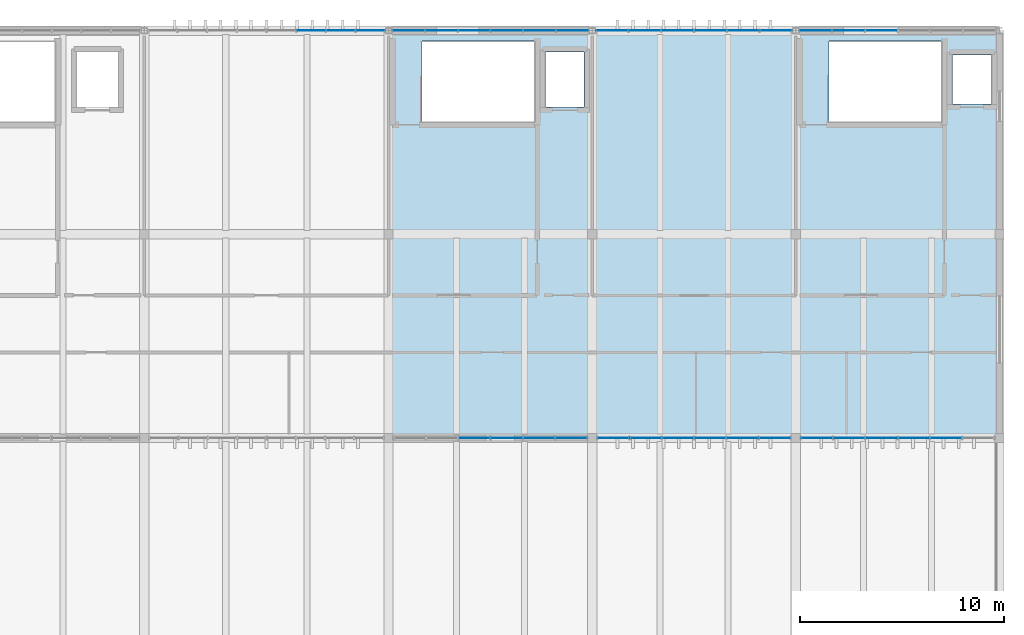
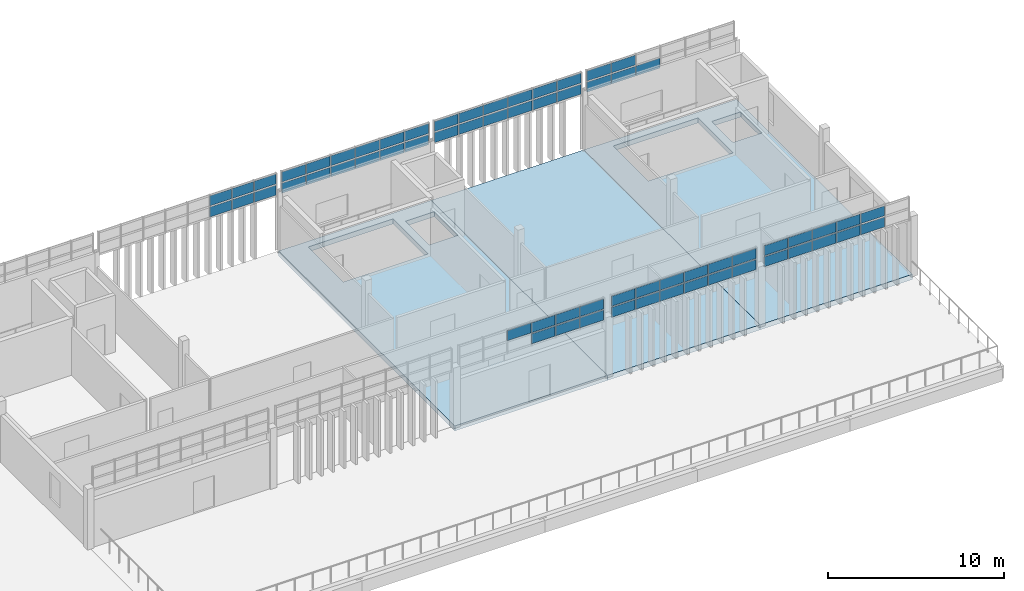
# One storey, part 32 of 36: 64 plates, 3 slabs, 7 elements without a shape of their own.
"""IFC4 building model written with IfcOpenShell, lengths in metres."""

from ifc_helpers import new_model, si_unit, direction, frame, origin, origin_2d, place, context, subcontext, project, spatial, polyline, rectangle, outline, extrude, material, layer, layer_set, type_object, element, aggregate, save


model = new_model("IFC4")

# Units and contexts
model_context = context("Model", 3, precision=1e-05, world=origin(), true_north=direction((0.0, 1.0)))
body_context = subcontext(model_context, "Body", "Model", "MODEL_VIEW")
ifc_project = project(units=[si_unit("LENGTHUNIT", "METRE"), si_unit("AREAUNIT", "SQUARE_METRE"), si_unit("VOLUMEUNIT", "CUBIC_METRE"), si_unit("PLANEANGLEUNIT", "RADIAN"), si_unit("MASSUNIT", "GRAM", prefix="KILO")], contexts=[model_context])

# Site, building, storey
site_placement = place(None, origin())
site = spatial("IfcSite", under=ifc_project, at=site_placement, CompositionType="ELEMENT")
building_placement = place(site_placement, origin())
building = spatial("IfcBuilding", under=site, at=building_placement, Name="Mersad Railyard Sports Hall", CompositionType="ELEMENT")
storey_placement = place(building_placement, frame((0.0, 0.0, 21.60009765625)))
storey = spatial("IfcBuildingStorey", under=building, at=storey_placement, Name="L05", CompositionType="ELEMENT", Elevation=21.60009765625)

# Curtain wall, plates
ifc_material_1 = material(Name="Aluminium 6063-T6", Category="aluminium")
ifc_layer_1 = layer(ifc_material_1, 0.159912109375)
ifc_layer_set_1 = layer_set([ifc_layer_1], Name="Aluminium 6063-T6")
curtain_wall_type_1 = type_object("IfcCurtainWallType", Name="ARC-CW-CW49", PredefinedType="USERDEFINED", material=ifc_layer_set_1)
curtain_wall_1_placement = place(storey_placement, origin())
curtain_wall_1 = element("IfcCurtainWall", 1, at=curtain_wall_1_placement, inside=storey, type_object=curtain_wall_type_1, Name="Curtain wall CW49-0131", ObjectType="CURTAIN WALL", PredefinedType="USERDEFINED")
ifc_material_2 = material(Name="Solar-control glass", Category="glass")
ifc_layer_2 = layer(ifc_material_2, 0.028076171875)
ifc_layer_set_2 = layer_set([ifc_layer_2], Name="Solar-control glass")
plate_type = type_object("IfcPlateType", Name="ARC-CW-PNL01", PredefinedType="CURTAIN_PANEL", material=ifc_layer_set_2)
plate_1_placement = place(storey_placement, frame((87.186279296875, 115.0, 3.934814453125), z_axis=(0.0, 0.0, 1.0), x_axis=(1.0, 0.0, 0.0)))
plate_1 = element("IfcPlate", 2, at=plate_1_placement, type_object=plate_type, Name="CW49 Glazed panel 6-1", PredefinedType="CURTAIN_PANEL", context=body_context, shape_type="SweptSolid", body=[
    extrude(rectangle(XDim=1.41357421875, YDim=0.028076171875, at=origin_2d()), origin(), (0.0, 0.0, 1.0), 0.68505859375),
])
plate_2_placement = place(storey_placement, frame((87.186279296875, 115.0, 4.7099609375), z_axis=(0.0, 0.0, 1.0), x_axis=(1.0, 0.0, 0.0)))
plate_2 = element("IfcPlate", 3, at=plate_2_placement, type_object=plate_type, Name="CW49 Glazed panel 6-2", PredefinedType="CURTAIN_PANEL", context=body_context, shape_type="SweptSolid", body=[
    extrude(rectangle(XDim=1.41357421875, YDim=0.028076171875, at=origin_2d()), origin(), (0.0, 0.0, 1.0), 0.68505859375),
])
plate_3_placement = place(storey_placement, frame((88.643798828125, 115.0, 3.934814453125), z_axis=(0.0, 0.0, 1.0), x_axis=(1.0, 0.0, 0.0)))
plate_3 = element("IfcPlate", 4, at=plate_3_placement, type_object=plate_type, Name="CW49 Glazed panel 7-1", PredefinedType="CURTAIN_PANEL", context=body_context, shape_type="SweptSolid", body=[
    extrude(rectangle(XDim=1.41357421875, YDim=0.028076171875, at=origin_2d()), origin(), (0.0, 0.0, 1.0), 0.68505859375),
])
plate_4_placement = place(storey_placement, frame((88.643798828125, 115.0, 4.7099609375), z_axis=(0.0, 0.0, 1.0), x_axis=(1.0, 0.0, 0.0)))
plate_4 = element("IfcPlate", 5, at=plate_4_placement, type_object=plate_type, Name="CW49 Glazed panel 7-2", PredefinedType="CURTAIN_PANEL", context=body_context, shape_type="SweptSolid", body=[
    extrude(rectangle(XDim=1.41357421875, YDim=0.028076171875, at=origin_2d()), origin(), (0.0, 0.0, 1.0), 0.68505859375),
])
plate_5_placement = place(storey_placement, frame((90.101318359375, 115.0, 3.934814453125), z_axis=(0.0, 0.0, 1.0), x_axis=(1.0, 0.0, 0.0)))
plate_5 = element("IfcPlate", 6, at=plate_5_placement, type_object=plate_type, Name="CW49 Glazed panel 8-1", PredefinedType="CURTAIN_PANEL", context=body_context, shape_type="SweptSolid", body=[
    extrude(rectangle(XDim=1.41357421875, YDim=0.028076171875, at=origin_2d()), origin(), (0.0, 0.0, 1.0), 0.68505859375),
])
plate_6_placement = place(storey_placement, frame((90.101318359375, 115.0, 4.7099609375), z_axis=(0.0, 0.0, 1.0), x_axis=(1.0, 0.0, 0.0)))
plate_6 = element("IfcPlate", 7, at=plate_6_placement, type_object=plate_type, Name="CW49 Glazed panel 8-2", PredefinedType="CURTAIN_PANEL", context=body_context, shape_type="SweptSolid", body=[
    extrude(rectangle(XDim=1.41357421875, YDim=0.028076171875, at=origin_2d()), origin(), (0.0, 0.0, 1.0), 0.68505859375),
])
aggregate(curtain_wall_1, [plate_1, plate_2, plate_3, plate_4, plate_5, plate_6])

ifc_layer_3 = layer(ifc_material_1, 0.159912109375)
ifc_layer_set_3 = layer_set([ifc_layer_3], Name="Aluminium 6063-T6")
curtain_wall_type_2 = type_object("IfcCurtainWallType", Name="ARC-CW-CW50", PredefinedType="USERDEFINED", material=ifc_layer_set_3)
curtain_wall_2_placement = place(storey_placement, origin())
curtain_wall_2 = element("IfcCurtainWall", 8, at=curtain_wall_2_placement, inside=storey, type_object=curtain_wall_type_2, Name="Curtain wall CW50-0132", ObjectType="CURTAIN WALL", PredefinedType="USERDEFINED")
plate_7_placement = place(storey_placement, frame((99.96240234375, 95.0, 3.934814453125), z_axis=(0.0, 0.0, 1.0), x_axis=(-1.0, 0.0, 0.0)))
plate_7 = element("IfcPlate", 9, at=plate_7_placement, type_object=plate_type, Name="CW50 Glazed panel 1-1", PredefinedType="CURTAIN_PANEL", context=body_context, shape_type="SweptSolid", body=[
    extrude(rectangle(XDim=1.541015625, YDim=0.028076171875, at=origin_2d()), origin(), (0.0, 0.0, 1.0), 0.68505859375),
])
plate_8_placement = place(storey_placement, frame((99.96240234375, 95.0, 4.7099609375), z_axis=(0.0, 0.0, 1.0), x_axis=(-1.0, 0.0, 0.0)))
plate_8 = element("IfcPlate", 10, at=plate_8_placement, type_object=plate_type, Name="CW50 Glazed panel 1-2", PredefinedType="CURTAIN_PANEL", context=body_context, shape_type="SweptSolid", body=[
    extrude(rectangle(XDim=1.541015625, YDim=0.028076171875, at=origin_2d()), origin(), (0.0, 0.0, 1.0), 0.68505859375),
])
plate_9_placement = place(storey_placement, frame((98.37744140625, 95.0, 3.934814453125), z_axis=(0.0, 0.0, 1.0), x_axis=(-1.0, 0.0, 0.0)))
plate_9 = element("IfcPlate", 11, at=plate_9_placement, type_object=plate_type, Name="CW50 Glazed panel 2-1", PredefinedType="CURTAIN_PANEL", context=body_context, shape_type="SweptSolid", body=[
    extrude(rectangle(XDim=1.541015625, YDim=0.028076171875, at=origin_2d()), origin(), (0.0, 0.0, 1.0), 0.68505859375),
])
plate_10_placement = place(storey_placement, frame((98.37744140625, 95.0, 4.7099609375), z_axis=(0.0, 0.0, 1.0), x_axis=(-1.0, 0.0, 0.0)))
plate_10 = element("IfcPlate", 12, at=plate_10_placement, type_object=plate_type, Name="CW50 Glazed panel 2-2", PredefinedType="CURTAIN_PANEL", context=body_context, shape_type="SweptSolid", body=[
    extrude(rectangle(XDim=1.541015625, YDim=0.028076171875, at=origin_2d()), origin(), (0.0, 0.0, 1.0), 0.68505859375),
])
plate_11_placement = place(storey_placement, frame((96.79248046875, 95.0, 3.934814453125), z_axis=(0.0, 0.0, 1.0), x_axis=(-1.0, 0.0, 0.0)))
plate_11 = element("IfcPlate", 13, at=plate_11_placement, type_object=plate_type, Name="CW50 Glazed panel 3-1", PredefinedType="CURTAIN_PANEL", context=body_context, shape_type="SweptSolid", body=[
    extrude(rectangle(XDim=1.541015625, YDim=0.028076171875, at=origin_2d()), origin(), (0.0, 0.0, 1.0), 0.68505859375),
])
plate_12_placement = place(storey_placement, frame((96.79248046875, 95.0, 4.7099609375), z_axis=(0.0, 0.0, 1.0), x_axis=(-1.0, 0.0, 0.0)))
plate_12 = element("IfcPlate", 14, at=plate_12_placement, type_object=plate_type, Name="CW50 Glazed panel 3-2", PredefinedType="CURTAIN_PANEL", context=body_context, shape_type="SweptSolid", body=[
    extrude(rectangle(XDim=1.541015625, YDim=0.028076171875, at=origin_2d()), origin(), (0.0, 0.0, 1.0), 0.68505859375),
])
plate_13_placement = place(storey_placement, frame((95.20751953125, 95.0, 4.7099609375), z_axis=(0.0, 0.0, 1.0), x_axis=(-1.0, 0.0, 0.0)))
plate_13 = element("IfcPlate", 15, at=plate_13_placement, type_object=plate_type, Name="CW50 Glazed panel 4-2", PredefinedType="CURTAIN_PANEL", context=body_context, shape_type="SweptSolid", body=[
    extrude(rectangle(XDim=1.541015625, YDim=0.028076171875, at=origin_2d()), origin(), (0.0, 0.0, 1.0), 0.68505859375),
])
aggregate(curtain_wall_2, [plate_7, plate_8, plate_9, plate_10, plate_11, plate_12, plate_13])

ifc_layer_4 = layer(ifc_material_1, 0.159912109375)
ifc_layer_set_4 = layer_set([ifc_layer_4], Name="Aluminium 6063-T6")
curtain_wall_type_3 = type_object("IfcCurtainWallType", Name="ARC-CW-CW51", PredefinedType="USERDEFINED", material=ifc_layer_set_4)
curtain_wall_3_placement = place(storey_placement, origin())
curtain_wall_3 = element("IfcCurtainWall", 16, at=curtain_wall_3_placement, inside=storey, type_object=curtain_wall_type_3, Name="Curtain wall CW51-0133", ObjectType="CURTAIN WALL", PredefinedType="USERDEFINED")
plate_14_placement = place(storey_placement, frame((91.97509765625, 115.0, 3.934814453125), z_axis=(0.0, 0.0, 1.0), x_axis=(1.0, 0.0, 0.0)))
plate_14 = element("IfcPlate", 17, at=plate_14_placement, type_object=plate_type, Name="CW51 Glazed panel 1-1", PredefinedType="CURTAIN_PANEL", context=body_context, shape_type="SweptSolid", body=[
    extrude(rectangle(XDim=1.56591796875, YDim=0.028076171875, at=origin_2d()), origin(), (0.0, 0.0, 1.0), 0.68505859375),
])
plate_15_placement = place(storey_placement, frame((91.97509765625, 115.0, 4.7099609375), z_axis=(0.0, 0.0, 1.0), x_axis=(1.0, 0.0, 0.0)))
plate_15 = element("IfcPlate", 18, at=plate_15_placement, type_object=plate_type, Name="CW51 Glazed panel 1-2", PredefinedType="CURTAIN_PANEL", context=body_context, shape_type="SweptSolid", body=[
    extrude(rectangle(XDim=1.56591796875, YDim=0.028076171875, at=origin_2d()), origin(), (0.0, 0.0, 1.0), 0.68505859375),
])
plate_16_placement = place(storey_placement, frame((93.5849609375, 115.0, 3.934814453125), z_axis=(0.0, 0.0, 1.0), x_axis=(1.0, 0.0, 0.0)))
plate_16 = element("IfcPlate", 19, at=plate_16_placement, type_object=plate_type, Name="CW51 Glazed panel 2-1", PredefinedType="CURTAIN_PANEL", context=body_context, shape_type="SweptSolid", body=[
    extrude(rectangle(XDim=1.56591796875, YDim=0.028076171875, at=origin_2d()), origin(), (0.0, 0.0, 1.0), 0.68505859375),
])
plate_17_placement = place(storey_placement, frame((93.5849609375, 115.0, 4.7099609375), z_axis=(0.0, 0.0, 1.0), x_axis=(1.0, 0.0, 0.0)))
plate_17 = element("IfcPlate", 20, at=plate_17_placement, type_object=plate_type, Name="CW51 Glazed panel 2-2", PredefinedType="CURTAIN_PANEL", context=body_context, shape_type="SweptSolid", body=[
    extrude(rectangle(XDim=1.56591796875, YDim=0.028076171875, at=origin_2d()), origin(), (0.0, 0.0, 1.0), 0.68505859375),
])
plate_18_placement = place(storey_placement, frame((95.195068359375, 115.0, 3.934814453125), z_axis=(0.0, 0.0, 1.0), x_axis=(1.0, 0.0, 0.0)))
plate_18 = element("IfcPlate", 21, at=plate_18_placement, type_object=plate_type, Name="CW51 Glazed panel 3-1", PredefinedType="CURTAIN_PANEL", context=body_context, shape_type="SweptSolid", body=[
    extrude(rectangle(XDim=1.56591796875, YDim=0.028076171875, at=origin_2d()), origin(), (0.0, 0.0, 1.0), 0.68505859375),
])
plate_19_placement = place(storey_placement, frame((95.195068359375, 115.0, 4.7099609375), z_axis=(0.0, 0.0, 1.0), x_axis=(1.0, 0.0, 0.0)))
plate_19 = element("IfcPlate", 22, at=plate_19_placement, type_object=plate_type, Name="CW51 Glazed panel 3-2", PredefinedType="CURTAIN_PANEL", context=body_context, shape_type="SweptSolid", body=[
    extrude(rectangle(XDim=1.56591796875, YDim=0.028076171875, at=origin_2d()), origin(), (0.0, 0.0, 1.0), 0.68505859375),
])
plate_20_placement = place(storey_placement, frame((96.804931640625, 115.0, 3.934814453125), z_axis=(0.0, 0.0, 1.0), x_axis=(1.0, 0.0, 0.0)))
plate_20 = element("IfcPlate", 23, at=plate_20_placement, type_object=plate_type, Name="CW51 Glazed panel 4-1", PredefinedType="CURTAIN_PANEL", context=body_context, shape_type="SweptSolid", body=[
    extrude(rectangle(XDim=1.56591796875, YDim=0.028076171875, at=origin_2d()), origin(), (0.0, 0.0, 1.0), 0.68505859375),
])
plate_21_placement = place(storey_placement, frame((96.804931640625, 115.0, 4.7099609375), z_axis=(0.0, 0.0, 1.0), x_axis=(1.0, 0.0, 0.0)))
plate_21 = element("IfcPlate", 24, at=plate_21_placement, type_object=plate_type, Name="CW51 Glazed panel 4-2", PredefinedType="CURTAIN_PANEL", context=body_context, shape_type="SweptSolid", body=[
    extrude(rectangle(XDim=1.56591796875, YDim=0.028076171875, at=origin_2d()), origin(), (0.0, 0.0, 1.0), 0.68505859375),
])
plate_22_placement = place(storey_placement, frame((98.4150390625, 115.0, 3.934814453125), z_axis=(0.0, 0.0, 1.0), x_axis=(1.0, 0.0, 0.0)))
plate_22 = element("IfcPlate", 25, at=plate_22_placement, type_object=plate_type, Name="CW51 Glazed panel 5-1", PredefinedType="CURTAIN_PANEL", context=body_context, shape_type="SweptSolid", body=[
    extrude(rectangle(XDim=1.56591796875, YDim=0.028076171875, at=origin_2d()), origin(), (0.0, 0.0, 1.0), 0.68505859375),
])
plate_23_placement = place(storey_placement, frame((98.4150390625, 115.0, 4.7099609375), z_axis=(0.0, 0.0, 1.0), x_axis=(1.0, 0.0, 0.0)))
plate_23 = element("IfcPlate", 26, at=plate_23_placement, type_object=plate_type, Name="CW51 Glazed panel 5-2", PredefinedType="CURTAIN_PANEL", context=body_context, shape_type="SweptSolid", body=[
    extrude(rectangle(XDim=1.56591796875, YDim=0.028076171875, at=origin_2d()), origin(), (0.0, 0.0, 1.0), 0.68505859375),
])
plate_24_placement = place(storey_placement, frame((100.02490234375, 115.0, 3.934814453125), z_axis=(0.0, 0.0, 1.0), x_axis=(1.0, 0.0, 0.0)))
plate_24 = element("IfcPlate", 27, at=plate_24_placement, type_object=plate_type, Name="CW51 Glazed panel 6-1", PredefinedType="CURTAIN_PANEL", context=body_context, shape_type="SweptSolid", body=[
    extrude(rectangle(XDim=1.56591796875, YDim=0.028076171875, at=origin_2d()), origin(), (0.0, 0.0, 1.0), 0.68505859375),
])
plate_25_placement = place(storey_placement, frame((100.02490234375, 115.0, 4.7099609375), z_axis=(0.0, 0.0, 1.0), x_axis=(1.0, 0.0, 0.0)))
plate_25 = element("IfcPlate", 28, at=plate_25_placement, type_object=plate_type, Name="CW51 Glazed panel 6-2", PredefinedType="CURTAIN_PANEL", context=body_context, shape_type="SweptSolid", body=[
    extrude(rectangle(XDim=1.56591796875, YDim=0.028076171875, at=origin_2d()), origin(), (0.0, 0.0, 1.0), 0.68505859375),
])
aggregate(curtain_wall_3, [plate_14, plate_15, plate_16, plate_17, plate_18, plate_19, plate_20, plate_21, plate_22, plate_23, plate_24, plate_25])

curtain_wall_4_placement = place(storey_placement, origin())
curtain_wall_4 = element("IfcCurtainWall", 29, at=curtain_wall_4_placement, inside=storey, type_object=curtain_wall_type_2, Name="Curtain wall CW50-0134", ObjectType="CURTAIN WALL", PredefinedType="USERDEFINED")
plate_26_placement = place(storey_placement, frame((109.96240234375, 95.0, 3.934814453125), z_axis=(0.0, 0.0, 1.0), x_axis=(-1.0, 0.0, 0.0)))
plate_26 = element("IfcPlate", 30, at=plate_26_placement, type_object=plate_type, Name="CW50 Glazed panel 1-1", PredefinedType="CURTAIN_PANEL", context=body_context, shape_type="SweptSolid", body=[
    extrude(rectangle(XDim=1.541015625, YDim=0.028076171875, at=origin_2d()), origin(), (0.0, 0.0, 1.0), 0.68505859375),
])
plate_27_placement = place(storey_placement, frame((109.96240234375, 95.0, 4.7099609375), z_axis=(0.0, 0.0, 1.0), x_axis=(-1.0, 0.0, 0.0)))
plate_27 = element("IfcPlate", 31, at=plate_27_placement, type_object=plate_type, Name="CW50 Glazed panel 1-2", PredefinedType="CURTAIN_PANEL", context=body_context, shape_type="SweptSolid", body=[
    extrude(rectangle(XDim=1.541015625, YDim=0.028076171875, at=origin_2d()), origin(), (0.0, 0.0, 1.0), 0.68505859375),
])
plate_28_placement = place(storey_placement, frame((108.37744140625, 95.0, 3.934814453125), z_axis=(0.0, 0.0, 1.0), x_axis=(-1.0, 0.0, 0.0)))
plate_28 = element("IfcPlate", 32, at=plate_28_placement, type_object=plate_type, Name="CW50 Glazed panel 2-1", PredefinedType="CURTAIN_PANEL", context=body_context, shape_type="SweptSolid", body=[
    extrude(rectangle(XDim=1.541015625, YDim=0.028076171875, at=origin_2d()), origin(), (0.0, 0.0, 1.0), 0.68505859375),
])
plate_29_placement = place(storey_placement, frame((108.37744140625, 95.0, 4.7099609375), z_axis=(0.0, 0.0, 1.0), x_axis=(-1.0, 0.0, 0.0)))
plate_29 = element("IfcPlate", 33, at=plate_29_placement, type_object=plate_type, Name="CW50 Glazed panel 2-2", PredefinedType="CURTAIN_PANEL", context=body_context, shape_type="SweptSolid", body=[
    extrude(rectangle(XDim=1.541015625, YDim=0.028076171875, at=origin_2d()), origin(), (0.0, 0.0, 1.0), 0.68505859375),
])
plate_30_placement = place(storey_placement, frame((106.79248046875, 95.0, 3.934814453125), z_axis=(0.0, 0.0, 1.0), x_axis=(-1.0, 0.0, 0.0)))
plate_30 = element("IfcPlate", 34, at=plate_30_placement, type_object=plate_type, Name="CW50 Glazed panel 3-1", PredefinedType="CURTAIN_PANEL", context=body_context, shape_type="SweptSolid", body=[
    extrude(rectangle(XDim=1.541015625, YDim=0.028076171875, at=origin_2d()), origin(), (0.0, 0.0, 1.0), 0.68505859375),
])
plate_31_placement = place(storey_placement, frame((106.79248046875, 95.0, 4.7099609375), z_axis=(0.0, 0.0, 1.0), x_axis=(-1.0, 0.0, 0.0)))
plate_31 = element("IfcPlate", 35, at=plate_31_placement, type_object=plate_type, Name="CW50 Glazed panel 3-2", PredefinedType="CURTAIN_PANEL", context=body_context, shape_type="SweptSolid", body=[
    extrude(rectangle(XDim=1.541015625, YDim=0.028076171875, at=origin_2d()), origin(), (0.0, 0.0, 1.0), 0.68505859375),
])
plate_32_placement = place(storey_placement, frame((105.20751953125, 95.0, 3.934814453125), z_axis=(0.0, 0.0, 1.0), x_axis=(-1.0, 0.0, 0.0)))
plate_32 = element("IfcPlate", 36, at=plate_32_placement, type_object=plate_type, Name="CW50 Glazed panel 4-1", PredefinedType="CURTAIN_PANEL", context=body_context, shape_type="SweptSolid", body=[
    extrude(rectangle(XDim=1.541015625, YDim=0.028076171875, at=origin_2d()), origin(), (0.0, 0.0, 1.0), 0.68505859375),
])
plate_33_placement = place(storey_placement, frame((105.20751953125, 95.0, 4.7099609375), z_axis=(0.0, 0.0, 1.0), x_axis=(-1.0, 0.0, 0.0)))
plate_33 = element("IfcPlate", 37, at=plate_33_placement, type_object=plate_type, Name="CW50 Glazed panel 4-2", PredefinedType="CURTAIN_PANEL", context=body_context, shape_type="SweptSolid", body=[
    extrude(rectangle(XDim=1.541015625, YDim=0.028076171875, at=origin_2d()), origin(), (0.0, 0.0, 1.0), 0.68505859375),
])
plate_34_placement = place(storey_placement, frame((103.62255859375, 95.0, 3.934814453125), z_axis=(0.0, 0.0, 1.0), x_axis=(-1.0, 0.0, 0.0)))
plate_34 = element("IfcPlate", 38, at=plate_34_placement, type_object=plate_type, Name="CW50 Glazed panel 5-1", PredefinedType="CURTAIN_PANEL", context=body_context, shape_type="SweptSolid", body=[
    extrude(rectangle(XDim=1.541015625, YDim=0.028076171875, at=origin_2d()), origin(), (0.0, 0.0, 1.0), 0.68505859375),
])
plate_35_placement = place(storey_placement, frame((103.62255859375, 95.0, 4.7099609375), z_axis=(0.0, 0.0, 1.0), x_axis=(-1.0, 0.0, 0.0)))
plate_35 = element("IfcPlate", 39, at=plate_35_placement, type_object=plate_type, Name="CW50 Glazed panel 5-2", PredefinedType="CURTAIN_PANEL", context=body_context, shape_type="SweptSolid", body=[
    extrude(rectangle(XDim=1.541015625, YDim=0.028076171875, at=origin_2d()), origin(), (0.0, 0.0, 1.0), 0.68505859375),
])
plate_36_placement = place(storey_placement, frame((102.03759765625, 95.0, 3.934814453125), z_axis=(0.0, 0.0, 1.0), x_axis=(-1.0, 0.0, 0.0)))
plate_36 = element("IfcPlate", 40, at=plate_36_placement, type_object=plate_type, Name="CW50 Glazed panel 6-1", PredefinedType="CURTAIN_PANEL", context=body_context, shape_type="SweptSolid", body=[
    extrude(rectangle(XDim=1.541015625, YDim=0.028076171875, at=origin_2d()), origin(), (0.0, 0.0, 1.0), 0.68505859375),
])
plate_37_placement = place(storey_placement, frame((102.03759765625, 95.0, 4.7099609375), z_axis=(0.0, 0.0, 1.0), x_axis=(-1.0, 0.0, 0.0)))
plate_37 = element("IfcPlate", 41, at=plate_37_placement, type_object=plate_type, Name="CW50 Glazed panel 6-2", PredefinedType="CURTAIN_PANEL", context=body_context, shape_type="SweptSolid", body=[
    extrude(rectangle(XDim=1.541015625, YDim=0.028076171875, at=origin_2d()), origin(), (0.0, 0.0, 1.0), 0.68505859375),
])
aggregate(curtain_wall_4, [plate_26, plate_27, plate_28, plate_29, plate_30, plate_31, plate_32, plate_33, plate_34, plate_35, plate_36, plate_37])

curtain_wall_5_placement = place(storey_placement, origin())
curtain_wall_5 = element("IfcCurtainWall", 42, at=curtain_wall_5_placement, inside=storey, type_object=curtain_wall_type_3, Name="Curtain wall CW51-0135", ObjectType="CURTAIN WALL", PredefinedType="USERDEFINED")
plate_38_placement = place(storey_placement, frame((101.97509765625, 115.0, 3.934814453125), z_axis=(0.0, 0.0, 1.0), x_axis=(1.0, 0.0, 0.0)))
plate_38 = element("IfcPlate", 43, at=plate_38_placement, type_object=plate_type, Name="CW51 Glazed panel 1-1", PredefinedType="CURTAIN_PANEL", context=body_context, shape_type="SweptSolid", body=[
    extrude(rectangle(XDim=1.56591796875, YDim=0.028076171875, at=origin_2d()), origin(), (0.0, 0.0, 1.0), 0.68505859375),
])
plate_39_placement = place(storey_placement, frame((101.97509765625, 115.0, 4.7099609375), z_axis=(0.0, 0.0, 1.0), x_axis=(1.0, 0.0, 0.0)))
plate_39 = element("IfcPlate", 44, at=plate_39_placement, type_object=plate_type, Name="CW51 Glazed panel 1-2", PredefinedType="CURTAIN_PANEL", context=body_context, shape_type="SweptSolid", body=[
    extrude(rectangle(XDim=1.56591796875, YDim=0.028076171875, at=origin_2d()), origin(), (0.0, 0.0, 1.0), 0.68505859375),
])
plate_40_placement = place(storey_placement, frame((103.5849609375, 115.0, 3.934814453125), z_axis=(0.0, 0.0, 1.0), x_axis=(1.0, 0.0, 0.0)))
plate_40 = element("IfcPlate", 45, at=plate_40_placement, type_object=plate_type, Name="CW51 Glazed panel 2-1", PredefinedType="CURTAIN_PANEL", context=body_context, shape_type="SweptSolid", body=[
    extrude(rectangle(XDim=1.56591796875, YDim=0.028076171875, at=origin_2d()), origin(), (0.0, 0.0, 1.0), 0.68505859375),
])
plate_41_placement = place(storey_placement, frame((103.5849609375, 115.0, 4.7099609375), z_axis=(0.0, 0.0, 1.0), x_axis=(1.0, 0.0, 0.0)))
plate_41 = element("IfcPlate", 46, at=plate_41_placement, type_object=plate_type, Name="CW51 Glazed panel 2-2", PredefinedType="CURTAIN_PANEL", context=body_context, shape_type="SweptSolid", body=[
    extrude(rectangle(XDim=1.56591796875, YDim=0.028076171875, at=origin_2d()), origin(), (0.0, 0.0, 1.0), 0.68505859375),
])
plate_42_placement = place(storey_placement, frame((105.195068359375, 115.0, 3.934814453125), z_axis=(0.0, 0.0, 1.0), x_axis=(1.0, 0.0, 0.0)))
plate_42 = element("IfcPlate", 47, at=plate_42_placement, type_object=plate_type, Name="CW51 Glazed panel 3-1", PredefinedType="CURTAIN_PANEL", context=body_context, shape_type="SweptSolid", body=[
    extrude(rectangle(XDim=1.56591796875, YDim=0.028076171875, at=origin_2d()), origin(), (0.0, 0.0, 1.0), 0.68505859375),
])
plate_43_placement = place(storey_placement, frame((105.195068359375, 115.0, 4.7099609375), z_axis=(0.0, 0.0, 1.0), x_axis=(1.0, 0.0, 0.0)))
plate_43 = element("IfcPlate", 48, at=plate_43_placement, type_object=plate_type, Name="CW51 Glazed panel 3-2", PredefinedType="CURTAIN_PANEL", context=body_context, shape_type="SweptSolid", body=[
    extrude(rectangle(XDim=1.56591796875, YDim=0.028076171875, at=origin_2d()), origin(), (0.0, 0.0, 1.0), 0.68505859375),
])
plate_44_placement = place(storey_placement, frame((106.804931640625, 115.0, 3.934814453125), z_axis=(0.0, 0.0, 1.0), x_axis=(1.0, 0.0, 0.0)))
plate_44 = element("IfcPlate", 49, at=plate_44_placement, type_object=plate_type, Name="CW51 Glazed panel 4-1", PredefinedType="CURTAIN_PANEL", context=body_context, shape_type="SweptSolid", body=[
    extrude(rectangle(XDim=1.56591796875, YDim=0.028076171875, at=origin_2d()), origin(), (0.0, 0.0, 1.0), 0.68505859375),
])
plate_45_placement = place(storey_placement, frame((106.804931640625, 115.0, 4.7099609375), z_axis=(0.0, 0.0, 1.0), x_axis=(1.0, 0.0, 0.0)))
plate_45 = element("IfcPlate", 50, at=plate_45_placement, type_object=plate_type, Name="CW51 Glazed panel 4-2", PredefinedType="CURTAIN_PANEL", context=body_context, shape_type="SweptSolid", body=[
    extrude(rectangle(XDim=1.56591796875, YDim=0.028076171875, at=origin_2d()), origin(), (0.0, 0.0, 1.0), 0.68505859375),
])
plate_46_placement = place(storey_placement, frame((108.4150390625, 115.0, 3.934814453125), z_axis=(0.0, 0.0, 1.0), x_axis=(1.0, 0.0, 0.0)))
plate_46 = element("IfcPlate", 51, at=plate_46_placement, type_object=plate_type, Name="CW51 Glazed panel 5-1", PredefinedType="CURTAIN_PANEL", context=body_context, shape_type="SweptSolid", body=[
    extrude(rectangle(XDim=1.56591796875, YDim=0.028076171875, at=origin_2d()), origin(), (0.0, 0.0, 1.0), 0.68505859375),
])
plate_47_placement = place(storey_placement, frame((108.4150390625, 115.0, 4.7099609375), z_axis=(0.0, 0.0, 1.0), x_axis=(1.0, 0.0, 0.0)))
plate_47 = element("IfcPlate", 52, at=plate_47_placement, type_object=plate_type, Name="CW51 Glazed panel 5-2", PredefinedType="CURTAIN_PANEL", context=body_context, shape_type="SweptSolid", body=[
    extrude(rectangle(XDim=1.56591796875, YDim=0.028076171875, at=origin_2d()), origin(), (0.0, 0.0, 1.0), 0.68505859375),
])
plate_48_placement = place(storey_placement, frame((110.02490234375, 115.0, 3.934814453125), z_axis=(0.0, 0.0, 1.0), x_axis=(1.0, 0.0, 0.0)))
plate_48 = element("IfcPlate", 53, at=plate_48_placement, type_object=plate_type, Name="CW51 Glazed panel 6-1", PredefinedType="CURTAIN_PANEL", context=body_context, shape_type="SweptSolid", body=[
    extrude(rectangle(XDim=1.56591796875, YDim=0.028076171875, at=origin_2d()), origin(), (0.0, 0.0, 1.0), 0.68505859375),
])
plate_49_placement = place(storey_placement, frame((110.02490234375, 115.0, 4.7099609375), z_axis=(0.0, 0.0, 1.0), x_axis=(1.0, 0.0, 0.0)))
plate_49 = element("IfcPlate", 54, at=plate_49_placement, type_object=plate_type, Name="CW51 Glazed panel 6-2", PredefinedType="CURTAIN_PANEL", context=body_context, shape_type="SweptSolid", body=[
    extrude(rectangle(XDim=1.56591796875, YDim=0.028076171875, at=origin_2d()), origin(), (0.0, 0.0, 1.0), 0.68505859375),
])
aggregate(curtain_wall_5, [plate_38, plate_39, plate_40, plate_41, plate_42, plate_43, plate_44, plate_45, plate_46, plate_47, plate_48, plate_49])

curtain_wall_6_placement = place(storey_placement, origin())
curtain_wall_6 = element("IfcCurtainWall", 55, at=curtain_wall_6_placement, inside=storey, type_object=curtain_wall_type_2, Name="Curtain wall CW50-0136", ObjectType="CURTAIN WALL", PredefinedType="USERDEFINED")
plate_50_placement = place(storey_placement, frame((118.37744140625, 95.0, 3.934814453125), z_axis=(0.0, 0.0, 1.0), x_axis=(-1.0, 0.0, 0.0)))
plate_50 = element("IfcPlate", 56, at=plate_50_placement, type_object=plate_type, Name="CW50 Glazed panel 2-1", PredefinedType="CURTAIN_PANEL", context=body_context, shape_type="SweptSolid", body=[
    extrude(rectangle(XDim=1.541015625, YDim=0.028076171875, at=origin_2d()), origin(), (0.0, 0.0, 1.0), 0.68505859375),
])
plate_51_placement = place(storey_placement, frame((118.37744140625, 95.0, 4.7099609375), z_axis=(0.0, 0.0, 1.0), x_axis=(-1.0, 0.0, 0.0)))
plate_51 = element("IfcPlate", 57, at=plate_51_placement, type_object=plate_type, Name="CW50 Glazed panel 2-2", PredefinedType="CURTAIN_PANEL", context=body_context, shape_type="SweptSolid", body=[
    extrude(rectangle(XDim=1.541015625, YDim=0.028076171875, at=origin_2d()), origin(), (0.0, 0.0, 1.0), 0.68505859375),
])
plate_52_placement = place(storey_placement, frame((116.79248046875, 95.0, 3.934814453125), z_axis=(0.0, 0.0, 1.0), x_axis=(-1.0, 0.0, 0.0)))
plate_52 = element("IfcPlate", 58, at=plate_52_placement, type_object=plate_type, Name="CW50 Glazed panel 3-1", PredefinedType="CURTAIN_PANEL", context=body_context, shape_type="SweptSolid", body=[
    extrude(rectangle(XDim=1.541015625, YDim=0.028076171875, at=origin_2d()), origin(), (0.0, 0.0, 1.0), 0.68505859375),
])
plate_53_placement = place(storey_placement, frame((116.79248046875, 95.0, 4.7099609375), z_axis=(0.0, 0.0, 1.0), x_axis=(-1.0, 0.0, 0.0)))
plate_53 = element("IfcPlate", 59, at=plate_53_placement, type_object=plate_type, Name="CW50 Glazed panel 3-2", PredefinedType="CURTAIN_PANEL", context=body_context, shape_type="SweptSolid", body=[
    extrude(rectangle(XDim=1.541015625, YDim=0.028076171875, at=origin_2d()), origin(), (0.0, 0.0, 1.0), 0.68505859375),
])
plate_54_placement = place(storey_placement, frame((115.20751953125, 95.0, 3.934814453125), z_axis=(0.0, 0.0, 1.0), x_axis=(-1.0, 0.0, 0.0)))
plate_54 = element("IfcPlate", 60, at=plate_54_placement, type_object=plate_type, Name="CW50 Glazed panel 4-1", PredefinedType="CURTAIN_PANEL", context=body_context, shape_type="SweptSolid", body=[
    extrude(rectangle(XDim=1.541015625, YDim=0.028076171875, at=origin_2d()), origin(), (0.0, 0.0, 1.0), 0.68505859375),
])
plate_55_placement = place(storey_placement, frame((115.20751953125, 95.0, 4.7099609375), z_axis=(0.0, 0.0, 1.0), x_axis=(-1.0, 0.0, 0.0)))
plate_55 = element("IfcPlate", 61, at=plate_55_placement, type_object=plate_type, Name="CW50 Glazed panel 4-2", PredefinedType="CURTAIN_PANEL", context=body_context, shape_type="SweptSolid", body=[
    extrude(rectangle(XDim=1.541015625, YDim=0.028076171875, at=origin_2d()), origin(), (0.0, 0.0, 1.0), 0.68505859375),
])
plate_56_placement = place(storey_placement, frame((113.62255859375, 95.0, 3.934814453125), z_axis=(0.0, 0.0, 1.0), x_axis=(-1.0, 0.0, 0.0)))
plate_56 = element("IfcPlate", 62, at=plate_56_placement, type_object=plate_type, Name="CW50 Glazed panel 5-1", PredefinedType="CURTAIN_PANEL", context=body_context, shape_type="SweptSolid", body=[
    extrude(rectangle(XDim=1.541015625, YDim=0.028076171875, at=origin_2d()), origin(), (0.0, 0.0, 1.0), 0.68505859375),
])
plate_57_placement = place(storey_placement, frame((113.62255859375, 95.0, 4.7099609375), z_axis=(0.0, 0.0, 1.0), x_axis=(-1.0, 0.0, 0.0)))
plate_57 = element("IfcPlate", 63, at=plate_57_placement, type_object=plate_type, Name="CW50 Glazed panel 5-2", PredefinedType="CURTAIN_PANEL", context=body_context, shape_type="SweptSolid", body=[
    extrude(rectangle(XDim=1.541015625, YDim=0.028076171875, at=origin_2d()), origin(), (0.0, 0.0, 1.0), 0.68505859375),
])
plate_58_placement = place(storey_placement, frame((112.03759765625, 95.0, 3.934814453125), z_axis=(0.0, 0.0, 1.0), x_axis=(-1.0, 0.0, 0.0)))
plate_58 = element("IfcPlate", 64, at=plate_58_placement, type_object=plate_type, Name="CW50 Glazed panel 6-1", PredefinedType="CURTAIN_PANEL", context=body_context, shape_type="SweptSolid", body=[
    extrude(rectangle(XDim=1.541015625, YDim=0.028076171875, at=origin_2d()), origin(), (0.0, 0.0, 1.0), 0.68505859375),
])
plate_59_placement = place(storey_placement, frame((112.03759765625, 95.0, 4.7099609375), z_axis=(0.0, 0.0, 1.0), x_axis=(-1.0, 0.0, 0.0)))
plate_59 = element("IfcPlate", 65, at=plate_59_placement, type_object=plate_type, Name="CW50 Glazed panel 6-2", PredefinedType="CURTAIN_PANEL", context=body_context, shape_type="SweptSolid", body=[
    extrude(rectangle(XDim=1.541015625, YDim=0.028076171875, at=origin_2d()), origin(), (0.0, 0.0, 1.0), 0.68505859375),
])
aggregate(curtain_wall_6, [plate_50, plate_51, plate_52, plate_53, plate_54, plate_55, plate_56, plate_57, plate_58, plate_59])

curtain_wall_7_placement = place(storey_placement, origin())
curtain_wall_7 = element("IfcCurtainWall", 66, at=curtain_wall_7_placement, inside=storey, type_object=curtain_wall_type_3, Name="Curtain wall CW51-0137", ObjectType="CURTAIN WALL", PredefinedType="USERDEFINED")
plate_60_placement = place(storey_placement, frame((111.97509765625, 115.0, 3.934814453125), z_axis=(0.0, 0.0, 1.0), x_axis=(1.0, 0.0, 0.0)))
plate_60 = element("IfcPlate", 67, at=plate_60_placement, type_object=plate_type, Name="CW51 Glazed panel 1-1", PredefinedType="CURTAIN_PANEL", context=body_context, shape_type="SweptSolid", body=[
    extrude(rectangle(XDim=1.56591796875, YDim=0.028076171875, at=origin_2d()), origin(), (0.0, 0.0, 1.0), 0.68505859375),
])
plate_61_placement = place(storey_placement, frame((111.97509765625, 115.0, 4.7099609375), z_axis=(0.0, 0.0, 1.0), x_axis=(1.0, 0.0, 0.0)))
plate_61 = element("IfcPlate", 68, at=plate_61_placement, type_object=plate_type, Name="CW51 Glazed panel 1-2", PredefinedType="CURTAIN_PANEL", context=body_context, shape_type="SweptSolid", body=[
    extrude(rectangle(XDim=1.56591796875, YDim=0.028076171875, at=origin_2d()), origin(), (0.0, 0.0, 1.0), 0.68505859375),
])
plate_62_placement = place(storey_placement, frame((113.5849609375, 115.0, 3.934814453125), z_axis=(0.0, 0.0, 1.0), x_axis=(1.0, 0.0, 0.0)))
plate_62 = element("IfcPlate", 69, at=plate_62_placement, type_object=plate_type, Name="CW51 Glazed panel 2-1", PredefinedType="CURTAIN_PANEL", context=body_context, shape_type="SweptSolid", body=[
    extrude(rectangle(XDim=1.56591796875, YDim=0.028076171875, at=origin_2d()), origin(), (0.0, 0.0, 1.0), 0.68505859375),
])
plate_63_placement = place(storey_placement, frame((113.5849609375, 115.0, 4.7099609375), z_axis=(0.0, 0.0, 1.0), x_axis=(1.0, 0.0, 0.0)))
plate_63 = element("IfcPlate", 70, at=plate_63_placement, type_object=plate_type, Name="CW51 Glazed panel 2-2", PredefinedType="CURTAIN_PANEL", context=body_context, shape_type="SweptSolid", body=[
    extrude(rectangle(XDim=1.56591796875, YDim=0.028076171875, at=origin_2d()), origin(), (0.0, 0.0, 1.0), 0.68505859375),
])
plate_64_placement = place(storey_placement, frame((115.195068359375, 115.0, 3.934814453125), z_axis=(0.0, 0.0, 1.0), x_axis=(1.0, 0.0, 0.0)))
plate_64 = element("IfcPlate", 71, at=plate_64_placement, type_object=plate_type, Name="CW51 Glazed panel 3-1", PredefinedType="CURTAIN_PANEL", context=body_context, shape_type="SweptSolid", body=[
    extrude(rectangle(XDim=1.56591796875, YDim=0.028076171875, at=origin_2d()), origin(), (0.0, 0.0, 1.0), 0.68505859375),
])
aggregate(curtain_wall_7, [plate_60, plate_61, plate_62, plate_63, plate_64])

# Slabs
ifc_material_3 = material(Name="Concrete C50/60", Category="concrete")
ifc_layer_5 = layer(ifc_material_3, 0.35009765625)
ifc_layer_set_5 = layer_set([ifc_layer_5], Name="Concrete C50/60")
slab_type = type_object("IfcSlabType", Name="STR-SL-FL05", PredefinedType="FLOOR", material=ifc_layer_set_5)
slab_1_placement = place(storey_placement, frame((0.0, 0.0, -0.35009765625)))
element("IfcSlab", 72, at=slab_1_placement, inside=storey, type_object=slab_type, Name="Slab SL05-0130", PredefinedType="FLOOR", context=body_context, shape_type="SweptSolid", body=[
    extrude(outline(polyline([(91.0, 95.0), (101.0, 95.0), (101.0, 115.0), (91.0, 115.0), (91.0, 95.0)]), holes=[polyline([(92.639892578125, 110.5), (98.199951171875, 110.5), (98.199951171875, 114.5), (92.639892578125, 114.5), (92.639892578125, 110.5)]), polyline([(98.699951171875, 111.25), (100.60009765625, 111.25), (100.60009765625, 113.949951171875), (98.699951171875, 113.949951171875), (98.699951171875, 111.25)])]), origin(), (0.0, 0.0, 1.0), 0.35009765625),
])
slab_2_placement = place(storey_placement, frame((0.0, 0.0, -0.35009765625)))
element("IfcSlab", 73, at=slab_2_placement, inside=storey, type_object=slab_type, Name="Slab SL05-0131", PredefinedType="FLOOR", context=body_context, shape_type="SweptSolid", body=[
    extrude(outline(polyline([(101.0, 95.0), (111.0, 95.0), (111.0, 115.0), (101.0, 115.0), (101.0, 95.0)])), origin(), (0.0, 0.0, 1.0), 0.35009765625),
])
slab_3_placement = place(storey_placement, frame((0.0, 0.0, -0.35009765625)))
element("IfcSlab", 74, at=slab_3_placement, inside=storey, type_object=slab_type, Name="Slab SL05-0132", PredefinedType="FLOOR", context=body_context, shape_type="SweptSolid", body=[
    extrude(outline(polyline([(111.0, 95.0), (121.0, 95.0), (121.0, 115.0), (111.0, 115.0), (111.0, 95.0)]), holes=[polyline([(112.639892578125, 110.5), (118.199951171875, 110.5), (118.199951171875, 114.5), (112.639892578125, 114.5), (112.639892578125, 110.5)]), polyline([(118.699951171875, 111.39990234375), (120.60009765625, 111.39990234375), (120.60009765625, 113.800048828125), (118.699951171875, 113.800048828125), (118.699951171875, 111.39990234375)])]), origin(), (0.0, 0.0, 1.0), 0.35009765625),
])

save(model, "model.ifc")
